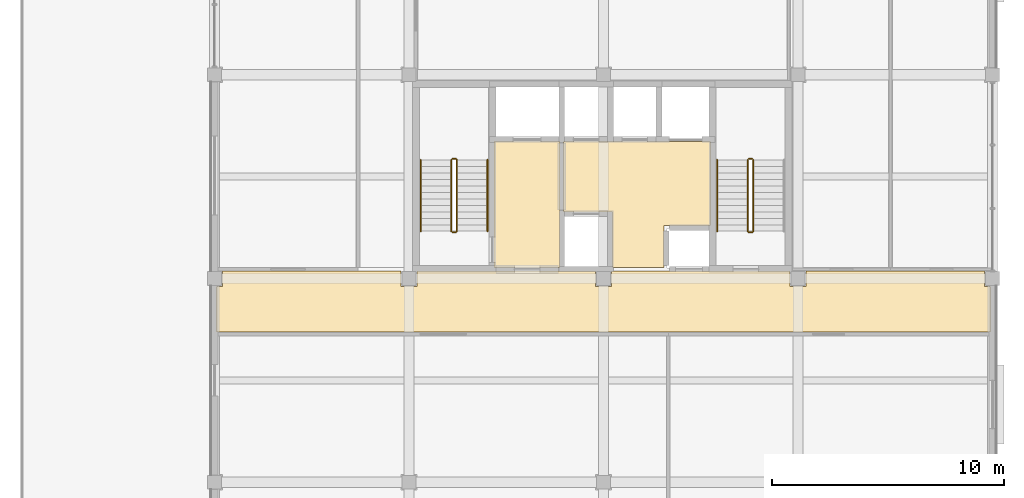
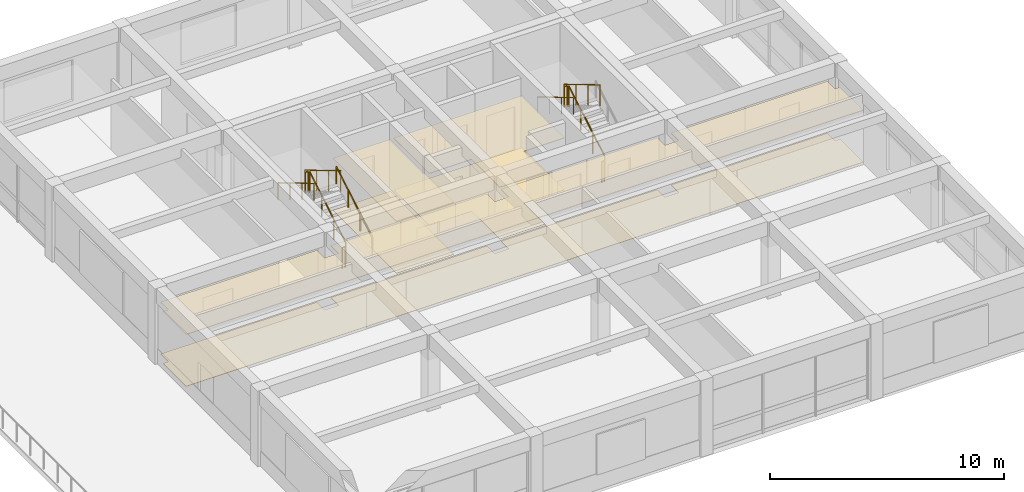
# One storey, part 9 of 10: 11 railings, 6 coverings.
"""IFC4 building model written with IfcOpenShell, lengths in metres."""

from ifc_helpers import new_model, si_unit, direction, frame, origin, origin_2d, place, context, subcontext, project, spatial, polyline, circle, outline, extrude, material, layer, layer_set, type_object, element, save


model = new_model("IFC4")

# Units and contexts
model_context = context("Model", 3, precision=1e-05, world=origin(), true_north=direction((0.0, 1.0)))
body_context = subcontext(model_context, "Body", "Model", "MODEL_VIEW")
ifc_project = project(units=[si_unit("LENGTHUNIT", "METRE"), si_unit("AREAUNIT", "SQUARE_METRE"), si_unit("VOLUMEUNIT", "CUBIC_METRE"), si_unit("PLANEANGLEUNIT", "RADIAN"), si_unit("MASSUNIT", "GRAM", prefix="KILO")], contexts=[model_context])

# Site, building, storey
site_placement = place(None, origin())
site = spatial("IfcSite", under=ifc_project, at=site_placement, CompositionType="ELEMENT")
building_placement = place(site_placement, origin())
building = spatial("IfcBuilding", under=site, at=building_placement, Name="Kemercrest Conservatory and Botanical Centre", CompositionType="ELEMENT")
storey_placement = place(building_placement, frame((0.0, 0.0, 48.199951171875)))
storey = spatial("IfcBuildingStorey", under=building, at=storey_placement, Name="L12", CompositionType="ELEMENT", Elevation=48.199951171875)

# Coverings
ifc_material_1 = material(Name="Perforated acoustic gypsum and mineral-fibre suspended ceiling", Category="gypsum")
ifc_layer_1 = layer(ifc_material_1, 0.034912109375)
ifc_layer_set_1 = layer_set([ifc_layer_1], Name="Perforated acoustic gypsum and mineral-fibre suspended ceiling")
covering_type_1 = type_object("IfcCoveringType", Name="CV-CLG035", PredefinedType="CEILING", material=ifc_layer_set_1)
covering_1_placement = place(storey_placement, frame((0.0, 0.0, 2.699951171875)))
element("IfcCovering", 1, at=covering_1_placement, inside=storey, type_object=covering_type_1, Name="Firefighting Lobby suspended acoustic ceiling", PredefinedType="CEILING", context=body_context, shape_type="SweptSolid", body=[
    extrude(outline(polyline([(154.47998046875, 105.280029296875), (157.320068359375, 105.280029296875), (157.320068359375, 110.719970703125), (154.47998046875, 110.719970703125), (154.47998046875, 105.280029296875)])), origin(), (0.0, 0.0, 1.0), 0.03515625),
])
covering_2_placement = place(storey_placement, frame((0.0, 0.0, 2.699951171875)))
element("IfcCovering", 2, at=covering_2_placement, inside=storey, type_object=covering_type_1, Name="Tower Lift Lobby suspended acoustic ceiling", PredefinedType="CEILING", context=body_context, shape_type="SweptSolid", body=[
    extrude(outline(polyline([(159.580078125, 107.679931640625), (159.580078125, 105.280029296875), (161.820068359375, 105.280029296875), (161.820068359375, 107.080078125), (163.820068359375, 107.080078125), (163.820068359375, 110.719970703125), (157.47998046875, 110.719970703125), (157.47998046875, 107.679931640625), (159.580078125, 107.679931640625)])), origin(), (0.0, 0.0, 1.0), 0.03515625),
])
covering_3_placement = place(storey_placement, frame((0.0, 0.0, 2.699951171875)))
element("IfcCovering", 3, at=covering_3_placement, inside=storey, type_object=covering_type_1, Name="Symposium Level Corridor suspended acoustic ceiling", PredefinedType="CEILING", context=body_context, shape_type="SweptSolid", body=[
    extrude(outline(polyline([(142.47998046875, 102.47998046875), (175.919921875, 102.47998046875), (175.919921875, 104.4599609375), (175.659912109375, 104.4599609375), (175.659912109375, 105.1201171875), (167.93994140625, 105.1201171875), (167.93994140625, 104.4599609375), (167.260009765625, 104.4599609375), (167.260009765625, 105.1201171875), (159.5400390625, 105.1201171875), (159.5400390625, 104.4599609375), (158.860107421875, 104.4599609375), (158.860107421875, 105.1201171875), (151.139892578125, 105.1201171875), (151.139892578125, 104.4599609375), (150.4599609375, 104.4599609375), (150.4599609375, 105.1201171875), (142.739990234375, 105.1201171875), (142.739990234375, 104.4599609375), (142.47998046875, 104.4599609375), (142.47998046875, 102.47998046875)])), origin(), (0.0, 0.0, 1.0), 0.03515625),
])
ifc_material_2 = material(Name="Polished limestone terrazzo and seamless laboratory epoxy flooring", Category="masonry")
ifc_layer_2 = layer(ifc_material_2, 0.02001953125)
ifc_layer_set_2 = layer_set([ifc_layer_2], Name="Polished limestone terrazzo and seamless laboratory epoxy flooring")
covering_type_2 = type_object("IfcCoveringType", Name="CV-FLR020", PredefinedType="FLOORING", material=ifc_layer_set_2)
covering_4_placement = place(storey_placement, origin())
element("IfcCovering", 4, at=covering_4_placement, inside=storey, type_object=covering_type_2, Name="Firefighting Lobby floor finish", PredefinedType="FLOORING", context=body_context, shape_type="SweptSolid", body=[
    extrude(outline(polyline([(154.47998046875, 105.280029296875), (157.320068359375, 105.280029296875), (157.320068359375, 110.719970703125), (154.47998046875, 110.719970703125), (154.47998046875, 105.280029296875)])), origin(), (0.0, 0.0, 1.0), 0.02001953125),
])
covering_5_placement = place(storey_placement, origin())
element("IfcCovering", 5, at=covering_5_placement, inside=storey, type_object=covering_type_2, Name="Tower Lift Lobby floor finish", PredefinedType="FLOORING", context=body_context, shape_type="SweptSolid", body=[
    extrude(outline(polyline([(159.580078125, 107.679931640625), (159.580078125, 105.280029296875), (161.820068359375, 105.280029296875), (161.820068359375, 107.080078125), (163.820068359375, 107.080078125), (163.820068359375, 110.719970703125), (157.47998046875, 110.719970703125), (157.47998046875, 107.679931640625), (159.580078125, 107.679931640625)])), origin(), (0.0, 0.0, 1.0), 0.02001953125),
])
covering_6_placement = place(storey_placement, origin())
element("IfcCovering", 6, at=covering_6_placement, inside=storey, type_object=covering_type_2, Name="Symposium Level Corridor floor finish", PredefinedType="FLOORING", context=body_context, shape_type="SweptSolid", body=[
    extrude(outline(polyline([(142.47998046875, 102.47998046875), (175.919921875, 102.47998046875), (175.919921875, 104.4599609375), (175.659912109375, 104.4599609375), (175.659912109375, 105.1201171875), (167.93994140625, 105.1201171875), (167.93994140625, 104.4599609375), (167.260009765625, 104.4599609375), (167.260009765625, 105.1201171875), (159.5400390625, 105.1201171875), (159.5400390625, 104.4599609375), (158.860107421875, 104.4599609375), (158.860107421875, 105.1201171875), (151.139892578125, 105.1201171875), (151.139892578125, 104.4599609375), (150.4599609375, 104.4599609375), (150.4599609375, 105.1201171875), (142.739990234375, 105.1201171875), (142.739990234375, 104.4599609375), (142.47998046875, 104.4599609375), (142.47998046875, 102.47998046875)])), origin(), (0.0, 0.0, 1.0), 0.02001953125),
])

# Railings
ifc_material_3 = material(Name="Painted galvanized steel tubular stair guardrail", Category="steel")
railing_type_1 = type_object("IfcRailingType", Name="GR-STR110", PredefinedType="GUARDRAIL", material=ifc_material_3)
railing_1_placement = place(storey_placement, frame((152.8701171875, 106.840087890625, 0.166748046875)))
element("IfcRailing", 7, at=railing_1_placement, inside=storey, type_object=railing_type_1, Name="L12 ST-V4A stair guard 1", PredefinedType="GUARDRAIL", context=body_context, shape_type="SweptSolid", body=[
    extrude(circle(Radius=0.02392578125, at=origin_2d()), frame((0.0, 0.0, 1.076171875), z_axis=(0.0, 0.859290745958, 0.51148745235), x_axis=(-1.0, 0.0, 0.0)), (0.0, 0.0, 1.0), 3.584228515625),
    extrude(circle(Radius=0.02099609375, at=origin_2d()), origin(), (0.0, 0.0, 1.0), 1.052001953125),
    extrude(circle(Radius=0.02099609375, at=origin_2d()), frame((0.0, 1.026611328125, 0.611083984375)), (0.0, 0.0, 1.0), 1.052001953125),
    extrude(circle(Radius=0.02099609375, at=origin_2d()), frame((0.0, 2.05322265625, 1.22216796875)), (0.0, 0.0, 1.0), 1.052001953125),
    extrude(circle(Radius=0.02099609375, at=origin_2d()), frame((0.0, 3.079833984375, 1.833251953125)), (0.0, 0.0, 1.0), 1.052001953125),
])
railing_2_placement = place(storey_placement, frame((152.820068359375, 109.969970703125, 2.0)))
element("IfcRailing", 8, at=railing_2_placement, inside=storey, type_object=railing_type_1, Name="L12 ST-V4A stair guard 2", PredefinedType="GUARDRAIL", context=body_context, shape_type="SweptSolid", body=[
    extrude(circle(Radius=0.02392578125, at=origin_2d()), frame((0.0, 0.0, 1.076171875), z_axis=(-1.0, 0.0, 0.0), x_axis=(0.0, -1.0, 0.0)), (0.0, 0.0, 1.0), 0.14013671875),
    extrude(circle(Radius=0.02099609375, at=origin_2d()), origin(), (0.0, 0.0, 1.0), 1.052001953125),
    extrude(circle(Radius=0.02099609375, at=origin_2d()), frame((-0.14013671875, 0.0, 0.0)), (0.0, 0.0, 1.0), 1.052001953125),
])
railing_3_placement = place(storey_placement, frame((152.6298828125, 109.919921875, 2.166748046875)))
element("IfcRailing", 9, at=railing_3_placement, inside=storey, type_object=railing_type_1, Name="L12 ST-V4A stair guard 3", PredefinedType="GUARDRAIL", context=body_context, shape_type="SweptSolid", body=[
    extrude(circle(Radius=0.02392578125, at=origin_2d()), frame((0.0, 0.0, 1.076171875), z_axis=(0.0, -0.859290745958, 0.51148745235), x_axis=(1.0, 0.0, 0.0)), (0.0, 0.0, 1.0), 3.584228515625),
    extrude(circle(Radius=0.02099609375, at=origin_2d()), origin(), (0.0, 0.0, 1.0), 1.052001953125),
    extrude(circle(Radius=0.02099609375, at=origin_2d()), frame((0.0, -1.026611328125, 0.611083984375)), (0.0, 0.0, 1.0), 1.052001953125),
    extrude(circle(Radius=0.02099609375, at=origin_2d()), frame((0.0, -2.05322265625, 1.22216796875)), (0.0, 0.0, 1.0), 1.052001953125),
    extrude(circle(Radius=0.02099609375, at=origin_2d()), frame((0.0, -3.079833984375, 1.833251953125)), (0.0, 0.0, 1.0), 1.052001953125),
])
railing_4_placement = place(storey_placement, frame((152.820068359375, 106.7900390625, 0.0)))
element("IfcRailing", 10, at=railing_4_placement, inside=storey, type_object=railing_type_1, Name="L12 ST-V4A stair guard 4", PredefinedType="GUARDRAIL", context=body_context, shape_type="SweptSolid", body=[
    extrude(circle(Radius=0.02392578125, at=origin_2d()), frame((0.0, 0.0, 1.076171875), z_axis=(-1.0, 0.0, 0.0), x_axis=(0.0, -1.0, 0.0)), (0.0, 0.0, 1.0), 0.14013671875),
    extrude(circle(Radius=0.02099609375, at=origin_2d()), origin(), (0.0, 0.0, 1.0), 1.052001953125),
    extrude(circle(Radius=0.02099609375, at=origin_2d()), frame((-0.14013671875, 0.0, 0.0)), (0.0, 0.0, 1.0), 1.052001953125),
])
railing_5_placement = place(storey_placement, frame((165.669921875, 106.840087890625, 0.166748046875)))
element("IfcRailing", 11, at=railing_5_placement, inside=storey, type_object=railing_type_1, Name="L12 ST-V4B stair guard 1", PredefinedType="GUARDRAIL", context=body_context, shape_type="SweptSolid", body=[
    extrude(circle(Radius=0.02392578125, at=origin_2d()), frame((0.0, 0.0, 1.076171875), z_axis=(0.0, 0.859290745958, 0.51148745235), x_axis=(-1.0, 0.0, 0.0)), (0.0, 0.0, 1.0), 3.584228515625),
    extrude(circle(Radius=0.02099609375, at=origin_2d()), origin(), (0.0, 0.0, 1.0), 1.052001953125),
    extrude(circle(Radius=0.02099609375, at=origin_2d()), frame((0.0, 1.026611328125, 0.611083984375)), (0.0, 0.0, 1.0), 1.052001953125),
    extrude(circle(Radius=0.02099609375, at=origin_2d()), frame((0.0, 2.05322265625, 1.22216796875)), (0.0, 0.0, 1.0), 1.052001953125),
    extrude(circle(Radius=0.02099609375, at=origin_2d()), frame((0.0, 3.079833984375, 1.833251953125)), (0.0, 0.0, 1.0), 1.052001953125),
])
railing_6_placement = place(storey_placement, frame((165.6201171875, 109.969970703125, 2.0)))
element("IfcRailing", 12, at=railing_6_placement, inside=storey, type_object=railing_type_1, Name="L12 ST-V4B stair guard 2", PredefinedType="GUARDRAIL", context=body_context, shape_type="SweptSolid", body=[
    extrude(circle(Radius=0.02392578125, at=origin_2d()), frame((0.0, 0.0, 1.076171875), z_axis=(-1.0, 0.0, 0.0), x_axis=(0.0, -1.0, 0.0)), (0.0, 0.0, 1.0), 0.14013671875),
    extrude(circle(Radius=0.02099609375, at=origin_2d()), origin(), (0.0, 0.0, 1.0), 1.052001953125),
    extrude(circle(Radius=0.02099609375, at=origin_2d()), frame((-0.14013671875, 0.0, 0.0)), (0.0, 0.0, 1.0), 1.052001953125),
])
railing_7_placement = place(storey_placement, frame((165.429931640625, 109.919921875, 2.166748046875)))
element("IfcRailing", 13, at=railing_7_placement, inside=storey, type_object=railing_type_1, Name="L12 ST-V4B stair guard 3", PredefinedType="GUARDRAIL", context=body_context, shape_type="SweptSolid", body=[
    extrude(circle(Radius=0.02392578125, at=origin_2d()), frame((0.0, 0.0, 1.076171875), z_axis=(0.0, -0.859290745958, 0.51148745235), x_axis=(1.0, 0.0, 0.0)), (0.0, 0.0, 1.0), 3.584228515625),
    extrude(circle(Radius=0.02099609375, at=origin_2d()), origin(), (0.0, 0.0, 1.0), 1.052001953125),
    extrude(circle(Radius=0.02099609375, at=origin_2d()), frame((0.0, -1.026611328125, 0.611083984375)), (0.0, 0.0, 1.0), 1.052001953125),
    extrude(circle(Radius=0.02099609375, at=origin_2d()), frame((0.0, -2.05322265625, 1.22216796875)), (0.0, 0.0, 1.0), 1.052001953125),
    extrude(circle(Radius=0.02099609375, at=origin_2d()), frame((0.0, -3.079833984375, 1.833251953125)), (0.0, 0.0, 1.0), 1.052001953125),
])
railing_8_placement = place(storey_placement, frame((165.6201171875, 106.7900390625, 0.0)))
element("IfcRailing", 14, at=railing_8_placement, inside=storey, type_object=railing_type_1, Name="L12 ST-V4B stair guard 4", PredefinedType="GUARDRAIL", context=body_context, shape_type="SweptSolid", body=[
    extrude(circle(Radius=0.02392578125, at=origin_2d()), frame((0.0, 0.0, 1.076171875), z_axis=(-1.0, 0.0, 0.0), x_axis=(0.0, -1.0, 0.0)), (0.0, 0.0, 1.0), 0.14013671875),
    extrude(circle(Radius=0.02099609375, at=origin_2d()), origin(), (0.0, 0.0, 1.0), 1.052001953125),
    extrude(circle(Radius=0.02099609375, at=origin_2d()), frame((-0.14013671875, 0.0, 0.0)), (0.0, 0.0, 1.0), 1.052001953125),
])
ifc_material_4 = material(Name="Brushed stainless steel wall-mounted handrail", Category="steel")
railing_type_2 = type_object("IfcRailingType", Name="HR-STR090", PredefinedType="HANDRAIL", material=ifc_material_4)
railing_9_placement = place(storey_placement, frame((154.18994140625, 106.840087890625, 0.166748046875)))
element("IfcRailing", 15, at=railing_9_placement, inside=storey, type_object=railing_type_2, Name="L12 ST-V4A stair handrail 1", PredefinedType="HANDRAIL", context=body_context, shape_type="SweptSolid", body=[
    extrude(circle(Radius=0.02392578125, at=origin_2d()), frame((0.0, 0.0, 0.8759765625), z_axis=(0.0, 0.859290745958, 0.51148745235), x_axis=(-1.0, 0.0, 0.0)), (0.0, 0.0, 1.0), 3.584228515625),
    extrude(circle(Radius=0.02099609375, at=origin_2d()), origin(), (0.0, 0.0, 1.0), 0.851806640625),
    extrude(circle(Radius=0.02099609375, at=origin_2d()), frame((0.0, 1.026611328125, 0.611083984375)), (0.0, 0.0, 1.0), 0.851806640625),
    extrude(circle(Radius=0.02099609375, at=origin_2d()), frame((0.0, 2.05322265625, 1.22216796875)), (0.0, 0.0, 1.0), 0.851806640625),
    extrude(circle(Radius=0.02099609375, at=origin_2d()), frame((0.0, 3.079833984375, 1.833251953125)), (0.0, 0.0, 1.0), 0.851806640625),
])
for number, where, name in (
    (16, (151.31005859375, 109.919921875, 2.166748046875), "L12 ST-V4A stair handrail 2"),
    (17, (164.110107421875, 109.919921875, 2.166748046875), "L12 ST-V4B stair handrail 2"),
):
    element("IfcRailing", number, at=place(storey_placement, frame(where)), inside=storey, type_object=railing_type_2, Name=name, PredefinedType="HANDRAIL", context=body_context, shape_type="SweptSolid", body=[
        extrude(circle(Radius=0.02392578125, at=origin_2d()), frame((0.0, 0.0, 0.8759765625), z_axis=(0.0, -0.859290745958, 0.51148745235), x_axis=(1.0, 0.0, 0.0)), (0.0, 0.0, 1.0), 3.584228515625),
        extrude(circle(Radius=0.02099609375, at=origin_2d()), origin(), (0.0, 0.0, 1.0), 0.851806640625),
        extrude(circle(Radius=0.02099609375, at=origin_2d()), frame((0.0, -1.026611328125, 0.611083984375)), (0.0, 0.0, 1.0), 0.851806640625),
        extrude(circle(Radius=0.02099609375, at=origin_2d()), frame((0.0, -2.05322265625, 1.22216796875)), (0.0, 0.0, 1.0), 0.851806640625),
        extrude(circle(Radius=0.02099609375, at=origin_2d()), frame((0.0, -3.079833984375, 1.833251953125)), (0.0, 0.0, 1.0), 0.851806640625),
    ])

save(model, "model.ifc")
